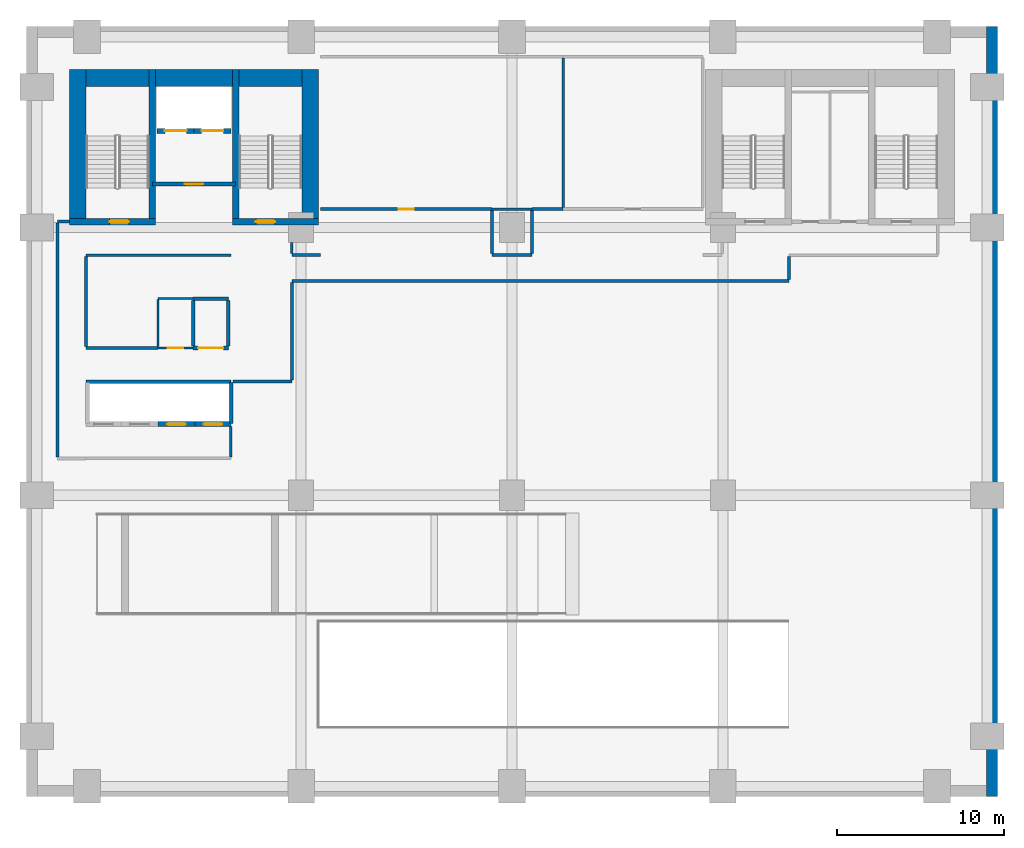
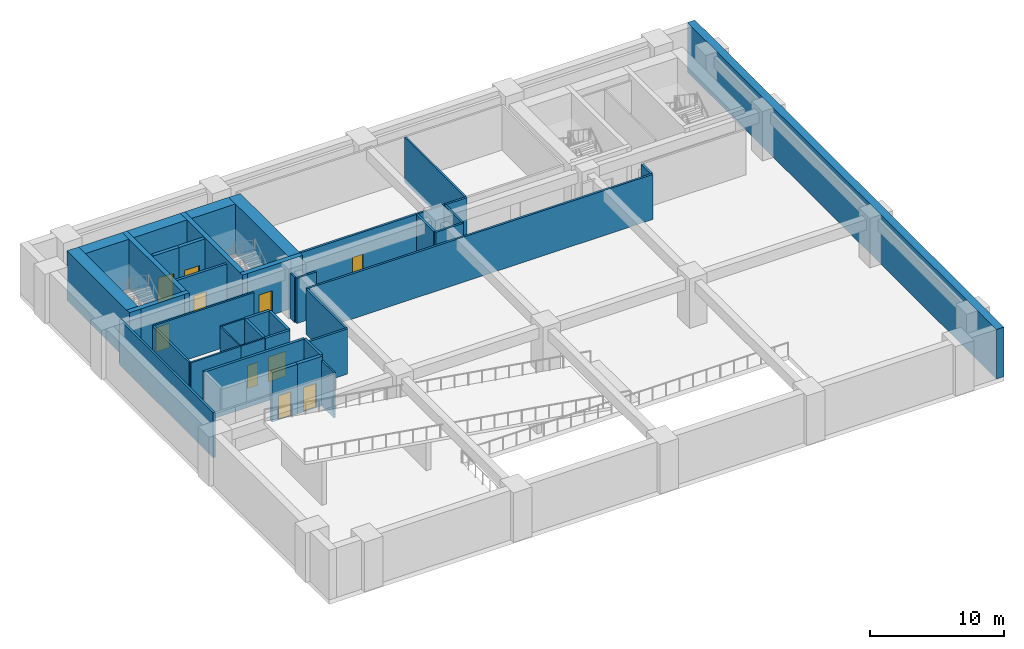
# One storey, part 2 of 6: 41 walls, 10 doors, 10 openings.
"""IFC4 building model written with IfcOpenShell, lengths in metres."""

from ifc_helpers import new_model, si_unit, direction, frame, frame_2d, origin, place, context, subcontext, project, spatial, rectangle, extrude, material, layer, layer_set, type_object, element, fill, save


model = new_model("IFC4")

# Units and contexts
model_context = context("Model", 3, precision=1e-05, world=origin(), true_north=direction((0.0, 1.0)))
body_context = subcontext(model_context, "Body", "Model", "MODEL_VIEW")
ifc_project = project(units=[si_unit("LENGTHUNIT", "METRE"), si_unit("AREAUNIT", "SQUARE_METRE"), si_unit("VOLUMEUNIT", "CUBIC_METRE"), si_unit("PLANEANGLEUNIT", "RADIAN"), si_unit("MASSUNIT", "GRAM", prefix="KILO")], contexts=[model_context])

# Site, building, storey
site_placement = place(None, origin())
site = spatial("IfcSite", under=ifc_project, at=site_placement, CompositionType="ELEMENT")
building_placement = place(site_placement, origin())
building = spatial("IfcBuilding", under=site, at=building_placement, Name="Sulina Concourse Tower", CompositionType="ELEMENT")
storey_placement = place(building_placement, frame((0.0, 0.0, -4.5)))
storey = spatial("IfcBuildingStorey", under=building, at=storey_placement, Name="B1", CompositionType="ELEMENT", Elevation=-4.5)

# Walls
ifc_material_1 = material(Name="Concrete C50/60", Category="concrete")
ifc_layer_1 = layer(ifc_material_1, 0.64990234375)
ifc_layer_set_1 = layer_set([ifc_layer_1], Name="Concrete C50/60")
wall_type_1 = type_object("IfcWallType", Name="Basement Perimeter Retaining Wall 650mm", PredefinedType="SOLIDWALL", material=ifc_layer_set_1)
wall_1_placement = place(storey_placement, frame((57.675048828125, 46.0, 0.0), z_axis=(0.0, 0.0, 1.0), x_axis=(0.0, -1.0, 0.0)))
element("IfcWall", 1, at=wall_1_placement, inside=storey, type_object=wall_type_1, Name="B1 basement retaining wall RW-E", PredefinedType="SOLIDWALL", context=body_context, shape_type="SweptSolid", body=[
    extrude(rectangle(XDim=46.0, YDim=0.64990234375, at=frame_2d((23.0, 0.0))), origin(), (0.0, 0.0, 1.0), 4.5),
])
ifc_material_2 = material(Name="Concrete C50/60", Category="concrete")
ifc_layer_2 = layer(ifc_material_2, 0.219970703125)
ifc_layer_set_2 = layer_set([ifc_layer_2], Name="Concrete C50/60")
wall_type_2 = type_object("IfcWallType", Name="Core Lift Hoistway Divider Wall 220mm", PredefinedType="SOLIDWALL", material=ifc_layer_set_2)
wall_2_placement = place(storey_placement, frame((3.550048828125, 24.780029296875, 0.0), z_axis=(0.0, 0.0, 1.0), x_axis=(1.0, 0.0, 0.0)))
element("IfcWall", 2, at=wall_2_placement, inside=storey, type_object=wall_type_2, Name="B1 shaft divider wall HW-LP1-N", PredefinedType="SOLIDWALL", context=body_context, shape_type="SweptSolid", body=[
    extrude(rectangle(XDim=8.64990234375, YDim=0.219970703125, at=frame_2d((4.324951171875, 0.0))), origin(), (0.0, 0.0, 1.0), 4.5),
])
wall_3_placement = place(storey_placement, frame((12.219970703125, 22.300048828125, 0.0), z_axis=(0.0, 0.0, 1.0), x_axis=(0.0, 1.0, 0.0)))
element("IfcWall", 3, at=wall_3_placement, inside=storey, type_object=wall_type_2, Name="B1 shaft divider wall HW-LP1-E", PredefinedType="SOLIDWALL", context=body_context, shape_type="SweptSolid", body=[
    extrude(rectangle(XDim=2.449951171875, YDim=0.219970703125, at=frame_2d((1.22509765625, 0.0))), origin(), (0.0, 0.0, 1.0), 4.5),
])

# Wall, opening, door
ifc_material_3 = material(Name="Concrete C50/60", Category="concrete")
ifc_layer_3 = layer(ifc_material_3, 0.300048828125)
ifc_layer_set_3 = layer_set([ifc_layer_3], Name="Concrete C50/60")
wall_type_3 = type_object("IfcWallType", Name="Core Lift Hoistway Wall 300mm", PredefinedType="SOLIDWALL", material=ifc_layer_set_3)
wall_4_placement = place(storey_placement, frame((10.050048828125, 22.25, 0.0), z_axis=(0.0, 0.0, 1.0), x_axis=(-1.0, 0.0, 0.0)))
wall_4 = element("IfcWall", 4, at=wall_4_placement, inside=storey, type_object=wall_type_3, Name="B1 hoistway enclosure wall LP-03", PredefinedType="SOLIDWALL", context=body_context, shape_type="SweptSolid", body=[
    extrude(rectangle(XDim=2.199951171875, YDim=0.300048828125, at=frame_2d((1.10009765625, 0.0))), origin(), (0.0, 0.0, 1.0), 4.5),
])
opening_1_placement = place(wall_4_placement, frame((0.550048828125, 0.0, 0.0)))
opening_1 = element("IfcOpeningElement", 5, at=opening_1_placement, cuts=wall_4, Name="Opening LD-01", PredefinedType="OPENING", context=body_context, shape_type="SweptSolid", body=[
    extrude(rectangle(XDim=1.10009765625, YDim=2.199951171875, at=frame_2d((0.550048828125, 1.10009765625))), frame((0.0, 0.159912109375, 0.0), z_axis=(0.0, -1.0, 0.0), x_axis=(1.0, 0.0, 0.0)), (0.0, 0.0, 1.0), 0.320068359375),
])
ifc_material_4 = material(Name="Stainless steel lift landing door", Category="steel")
ifc_layer_4 = layer(ifc_material_4, 0.050048828125)
ifc_layer_set_4 = layer_set([ifc_layer_4], Name="Stainless steel lift landing door")
door_type_1 = type_object("IfcDoorType", Name="Passenger Lift Sliding Landing Door 1100x2200", OperationType="SLIDING_TO_LEFT", PredefinedType="DOOR", material=ifc_layer_set_4)
door_1_placement = place(opening_1_placement, origin())
door_1 = element("IfcDoor", 6, at=door_1_placement, inside=storey, type_object=door_type_1, Name="B1 lift landing sliding door LP-03", OperationType="SLIDING_TO_LEFT", OverallHeight=2.199951171875, OverallWidth=1.10009765625, PredefinedType="DOOR", context=body_context, shape_type="SweptSolid", body=[
    extrude(rectangle(XDim=1.10009765625, YDim=2.199951171875, at=frame_2d((0.550048828125, 1.10009765625))), frame((0.0, 0.02490234375, 0.0), z_axis=(0.0, -1.0, 0.0), x_axis=(1.0, 0.0, 0.0)), (0.0, 0.0, 1.0), 0.050048828125),
])
fill(opening_1, door_1)

wall_5_placement = place(storey_placement, frame((12.199951171875, 22.25, 0.0), z_axis=(0.0, 0.0, 1.0), x_axis=(-1.0, 0.0, 0.0)))
wall_5 = element("IfcWall", 7, at=wall_5_placement, inside=storey, type_object=wall_type_3, Name="B1 hoistway enclosure wall LP-04", PredefinedType="SOLIDWALL", context=body_context, shape_type="SweptSolid", body=[
    extrude(rectangle(XDim=2.14990234375, YDim=0.300048828125, at=frame_2d((1.074951171875, 0.0))), origin(), (0.0, 0.0, 1.0), 4.5),
])
opening_2_placement = place(wall_5_placement, frame((0.52490234375, 0.0, 0.0)))
opening_2 = element("IfcOpeningElement", 8, at=opening_2_placement, cuts=wall_5, Name="Opening LD-01", PredefinedType="OPENING", context=body_context, shape_type="SweptSolid", body=[
    extrude(rectangle(XDim=1.10009765625, YDim=2.199951171875, at=frame_2d((0.550048828125, 1.10009765625))), frame((0.0, 0.159912109375, 0.0), z_axis=(0.0, -1.0, 0.0), x_axis=(1.0, 0.0, 0.0)), (0.0, 0.0, 1.0), 0.320068359375),
])
door_2_placement = place(opening_2_placement, origin())
door_2 = element("IfcDoor", 9, at=door_2_placement, inside=storey, type_object=door_type_1, Name="B1 lift landing sliding door LP-04", OperationType="SLIDING_TO_RIGHT", OverallHeight=2.199951171875, OverallWidth=1.10009765625, PredefinedType="DOOR", context=body_context, shape_type="SweptSolid", body=[
    extrude(rectangle(XDim=1.10009765625, YDim=2.199951171875, at=frame_2d((0.550048828125, 1.10009765625))), frame((0.0, 0.02490234375, 0.0), z_axis=(0.0, -1.0, 0.0), x_axis=(1.0, 0.0, 0.0)), (0.0, 0.0, 1.0), 0.050048828125),
])
fill(opening_2, door_2)

wall_6_placement = place(storey_placement, frame((10.0, 39.780029296875, 0.0), z_axis=(0.0, 0.0, 1.0), x_axis=(-1.0, 0.0, 0.0)))
wall_6 = element("IfcWall", 10, at=wall_6_placement, inside=storey, type_object=wall_type_3, Name="B1 hoistway enclosure wall FFL-1", PredefinedType="SOLIDWALL", context=body_context, shape_type="SweptSolid", body=[
    extrude(rectangle(XDim=2.199951171875, YDim=0.300048828125, at=frame_2d((1.10009765625, 0.0))), origin(), (0.0, 0.0, 1.0), 4.5),
])
opening_3_placement = place(wall_6_placement, frame((0.449951171875, 0.0, 0.0)))
opening_3 = element("IfcOpeningElement", 11, at=opening_3_placement, cuts=wall_6, Name="Opening LD-02", PredefinedType="OPENING", context=body_context, shape_type="SweptSolid", body=[
    extrude(rectangle(XDim=1.300048828125, YDim=2.25, at=frame_2d((0.64990234375, 1.125))), frame((0.0, 0.159912109375, 0.0), z_axis=(0.0, -1.0, 0.0), x_axis=(1.0, 0.0, 0.0)), (0.0, 0.0, 1.0), 0.320068359375),
])
ifc_material_5 = material(Name="Stainless steel lift landing door", Category="steel")
ifc_layer_5 = layer(ifc_material_5, 0.050048828125)
ifc_layer_set_5 = layer_set([ifc_layer_5], Name="Stainless steel lift landing door")
door_type_2 = type_object("IfcDoorType", Name="Firefighting Lift Sliding Landing Door 1300x2250", OperationType="SLIDING_TO_RIGHT", PredefinedType="DOOR", material=ifc_layer_set_5)
door_3_placement = place(opening_3_placement, origin())
door_3 = element("IfcDoor", 12, at=door_3_placement, inside=storey, type_object=door_type_2, Name="B1 lift landing sliding door FFL-1", OperationType="SLIDING_TO_LEFT", OverallHeight=2.25, OverallWidth=1.300048828125, PredefinedType="DOOR", context=body_context, shape_type="SweptSolid", body=[
    extrude(rectangle(XDim=1.300048828125, YDim=2.25, at=frame_2d((0.64990234375, 1.125))), frame((0.0, 0.02490234375, 0.0), z_axis=(0.0, -1.0, 0.0), x_axis=(1.0, 0.0, 0.0)), (0.0, 0.0, 1.0), 0.050048828125),
])
fill(opening_3, door_3)

wall_7_placement = place(storey_placement, frame((12.199951171875, 39.780029296875, 0.0), z_axis=(0.0, 0.0, 1.0), x_axis=(-1.0, 0.0, 0.0)))
wall_7 = element("IfcWall", 13, at=wall_7_placement, inside=storey, type_object=wall_type_3, Name="B1 hoistway enclosure wall FFL-2", PredefinedType="SOLIDWALL", context=body_context, shape_type="SweptSolid", body=[
    extrude(rectangle(XDim=2.199951171875, YDim=0.300048828125, at=frame_2d((1.10009765625, 0.0))), origin(), (0.0, 0.0, 1.0), 4.5),
])
opening_4_placement = place(wall_7_placement, frame((0.449951171875, 0.0, 0.0)))
opening_4 = element("IfcOpeningElement", 14, at=opening_4_placement, cuts=wall_7, Name="Opening LD-02", PredefinedType="OPENING", context=body_context, shape_type="SweptSolid", body=[
    extrude(rectangle(XDim=1.300048828125, YDim=2.25, at=frame_2d((0.64990234375, 1.125))), frame((0.0, 0.159912109375, 0.0), z_axis=(0.0, -1.0, 0.0), x_axis=(1.0, 0.0, 0.0)), (0.0, 0.0, 1.0), 0.320068359375),
])
door_4_placement = place(opening_4_placement, origin())
door_4 = element("IfcDoor", 15, at=door_4_placement, inside=storey, type_object=door_type_2, Name="B1 lift landing sliding door FFL-2", OperationType="SLIDING_TO_RIGHT", OverallHeight=2.25, OverallWidth=1.300048828125, PredefinedType="DOOR", context=body_context, shape_type="SweptSolid", body=[
    extrude(rectangle(XDim=1.300048828125, YDim=2.25, at=frame_2d((0.64990234375, 1.125))), frame((0.0, 0.02490234375, 0.0), z_axis=(0.0, -1.0, 0.0), x_axis=(1.0, 0.0, 0.0)), (0.0, 0.0, 1.0), 0.050048828125),
])
fill(opening_4, door_4)

ifc_material_6 = material(Name="Gypsum board on steel stud", Category="steel")
ifc_layer_6 = layer(ifc_material_6, 0.219970703125)
ifc_layer_set_6 = layer_set([ifc_layer_6], Name="Gypsum board on steel stud")
wall_type_4 = type_object("IfcWallType", Name="Fire-Rated Lobby & Compartment Wall 220mm", PredefinedType="PARTITIONING", material=ifc_layer_set_6)
wall_8_placement = place(storey_placement, frame((7.510009765625, 36.60009765625, 0.0), z_axis=(0.0, 0.0, 1.0), x_axis=(1.0, 0.0, 0.0)))
wall_8 = element("IfcWall", 16, at=wall_8_placement, inside=storey, type_object=wall_type_4, Name="B1 firefighting lobby south fire wall", PredefinedType="PARTITIONING", context=body_context, shape_type="SweptSolid", body=[
    extrude(rectangle(XDim=4.97998046875, YDim=0.219970703125, at=frame_2d((2.489990234375, 0.0))), origin(), (0.0, 0.0, 1.0), 4.10009765625),
])
opening_5_placement = place(wall_8_placement, frame((1.93994140625, 0.0, 0.0)))
opening_5 = element("IfcOpeningElement", 17, at=opening_5_placement, cuts=wall_8, Name="Opening DR-47", PredefinedType="OPENING", context=body_context, shape_type="SweptSolid", body=[
    extrude(rectangle(XDim=1.10009765625, YDim=2.199951171875, at=frame_2d((0.550048828125, 1.10009765625))), frame((0.0, 0.119873046875, 0.0), z_axis=(0.0, -1.0, 0.0), x_axis=(1.0, 0.0, 0.0)), (0.0, 0.0, 1.0), 0.239990234375),
])
ifc_material_7 = material(Name="Galvanised steel acoustic fire leaf", Category="steel")
ifc_layer_7 = layer(ifc_material_7, 0.054931640625)
ifc_layer_set_7 = layer_set([ifc_layer_7], Name="Galvanised steel acoustic fire leaf")
door_type_3 = type_object("IfcDoorType", Name="Firefighting Lobby Fire Door 1100x2200", OperationType="NOTDEFINED", PredefinedType="DOOR", material=ifc_layer_set_7)
door_5_placement = place(opening_5_placement, origin())
door_5 = element("IfcDoor", 18, at=door_5_placement, inside=storey, type_object=door_type_3, Name="B1 firefighting lobby fire door", OperationType="SINGLE_SWING_RIGHT", OverallHeight=2.199951171875, OverallWidth=1.10009765625, PredefinedType="DOOR", context=body_context, shape_type="SweptSolid", body=[
    extrude(rectangle(XDim=1.10009765625, YDim=2.199951171875, at=frame_2d((0.550048828125, 1.10009765625))), frame((0.0, 0.02490234375, 0.0), z_axis=(0.0, -1.0, 0.0), x_axis=(1.0, 0.0, 0.0)), (0.0, 0.0, 1.0), 0.050048828125),
])
fill(opening_5, door_5)

wall_9_placement = place(storey_placement, frame((9.949951171875, 26.800048828125, 0.0), z_axis=(0.0, 0.0, 1.0), x_axis=(1.0, 0.0, 0.0)))
wall_9 = element("IfcWall", 19, at=wall_9_placement, inside=storey, type_object=wall_type_4, Name="B1 interior partition 006", PredefinedType="PARTITIONING", context=body_context, shape_type="SweptSolid", body=[
    extrude(rectangle(XDim=2.10009765625, YDim=0.219970703125, at=frame_2d((1.050048828125, 0.0))), origin(), (0.0, 0.0, 1.0), 4.10009765625),
])
opening_6_placement = place(wall_9_placement, frame((0.300048828125, 0.0, 0.0)))
opening_6 = element("IfcOpeningElement", 20, at=opening_6_placement, cuts=wall_9, Name="Opening DR-80", PredefinedType="OPENING", context=body_context, shape_type="SweptSolid", body=[
    extrude(rectangle(XDim=1.5, YDim=2.25, at=frame_2d((0.75, 1.125))), frame((0.0, 0.119873046875, 0.0), z_axis=(0.0, -1.0, 0.0), x_axis=(1.0, 0.0, 0.0)), (0.0, 0.0, 1.0), 0.239990234375),
])
ifc_material_8 = material(Name="Galvanised steel acoustic fire leaf", Category="steel")
ifc_layer_8 = layer(ifc_material_8, 0.054931640625)
ifc_layer_set_8 = layer_set([ifc_layer_8], Name="Galvanised steel acoustic fire leaf")
door_type_4 = type_object("IfcDoorType", Name="Mechanical Plant Double Fire Door 1500x2250", OperationType="DOUBLE_DOOR_SINGLE_SWING", PredefinedType="DOOR", material=ifc_layer_set_8)
door_6_placement = place(opening_6_placement, origin())
door_6 = element("IfcDoor", 21, at=door_6_placement, inside=storey, type_object=door_type_4, Name="B1 interior door B1-IT-IDF", OperationType="DOUBLE_DOOR_SINGLE_SWING", OverallHeight=2.25, OverallWidth=1.5, PredefinedType="DOOR", context=body_context, shape_type="SweptSolid", body=[
    extrude(rectangle(XDim=1.5, YDim=2.25, at=frame_2d((0.75, 1.125))), frame((0.0, 0.02490234375, 0.0), z_axis=(0.0, -1.0, 0.0), x_axis=(1.0, 0.0, 0.0)), (0.0, 0.0, 1.0), 0.050048828125),
])
fill(opening_6, door_6)

# Walls
wall_10_placement = place(storey_placement, frame((9.949951171875, 29.75, 0.0), z_axis=(0.0, 0.0, 1.0), x_axis=(1.0, 0.0, 0.0)))
element("IfcWall", 22, at=wall_10_placement, inside=storey, type_object=wall_type_4, Name="B1 interior partition 008", PredefinedType="PARTITIONING", context=body_context, shape_type="SweptSolid", body=[
    extrude(rectangle(XDim=2.10009765625, YDim=0.219970703125, at=frame_2d((1.050048828125, 0.0))), origin(), (0.0, 0.0, 1.0), 4.10009765625),
])
for number, where, z_axis, x_axis, name in (
    (23, (9.949951171875, 26.909912109375, 0.0), (0.0, 0.0, 1.0), (0.0, 1.0, 0.0), "B1 interior partition 027"),
    (24, (12.050048828125, 26.909912109375, 0.0), (0.0, 0.0, 1.0), (0.0, 1.0, 0.0), "B1 interior partition 028"),
):
    element("IfcWall", number, at=place(storey_placement, frame(where, z_axis=z_axis, x_axis=x_axis)), inside=storey, type_object=wall_type_4, Name=name, PredefinedType="PARTITIONING", context=body_context, shape_type="SweptSolid", body=[
        extrude(rectangle(XDim=2.72998046875, YDim=0.219970703125, at=frame_2d((1.364990234375, 0.0))), origin(), (0.0, 0.0, 1.0), 4.10009765625),
    ])
ifc_material_9 = material(Name="Gypsum board on steel stud", Category="steel")
ifc_layer_9 = layer(ifc_material_9, 0.14990234375)
ifc_layer_set_9 = layer_set([ifc_layer_9], Name="Gypsum board on steel stud")
wall_type_5 = type_object("IfcWallType", Name="Inter-Tenancy Acoustic Partition 150mm", PredefinedType="PARTITIONING", material=ifc_layer_set_9)
wall_11_placement = place(storey_placement, frame((3.550048828125, 26.800048828125, 0.0), z_axis=(0.0, 0.0, 1.0), x_axis=(1.0, 0.0, 0.0)))
element("IfcWall", 25, at=wall_11_placement, inside=storey, type_object=wall_type_5, Name="B1 interior partition 004", PredefinedType="PARTITIONING", context=body_context, shape_type="SweptSolid", body=[
    extrude(rectangle(XDim=4.300048828125, YDim=0.14990234375, at=frame_2d((2.14990234375, 0.0))), origin(), (0.0, 0.0, 1.0), 4.10009765625),
])
wall_12_placement = place(storey_placement, frame((3.550048828125, 32.35009765625, 0.0), z_axis=(0.0, 0.0, 1.0), x_axis=(1.0, 0.0, 0.0)))
element("IfcWall", 26, at=wall_12_placement, inside=storey, type_object=wall_type_5, Name="B1 interior partition 010", PredefinedType="PARTITIONING", context=body_context, shape_type="SweptSolid", body=[
    extrude(rectangle(XDim=8.64990234375, YDim=0.14990234375, at=frame_2d((4.324951171875, 0.0))), origin(), (0.0, 0.0, 1.0), 4.10009765625),
])
wall_13_placement = place(storey_placement, frame((27.800048828125, 35.10009765625, 0.0), z_axis=(0.0, 0.0, 1.0), x_axis=(1.0, 0.0, 0.0)))
element("IfcWall", 27, at=wall_13_placement, inside=storey, type_object=wall_type_5, Name="B1 interior partition 017", PredefinedType="PARTITIONING", context=body_context, shape_type="SweptSolid", body=[
    extrude(rectangle(XDim=2.39990234375, YDim=0.14990234375, at=frame_2d((1.199951171875, 0.0))), origin(), (0.0, 0.0, 1.0), 4.10009765625),
])
wall_14_placement = place(storey_placement, frame((12.199951171875, 20.27490234375, 0.0), z_axis=(0.0, 0.0, 1.0), x_axis=(0.0, 1.0, 0.0)))
element("IfcWall", 28, at=wall_14_placement, inside=storey, type_object=wall_type_5, Name="B1 interior partition 029", PredefinedType="PARTITIONING", context=body_context, shape_type="SweptSolid", body=[
    extrude(rectangle(XDim=1.8251953125, YDim=0.14990234375, at=frame_2d((0.91259765625, 0.0))), origin(), (0.0, 0.0, 1.0), 4.10009765625),
])
wall_15_placement = place(storey_placement, frame((15.85009765625, 32.43994140625, 0.0), z_axis=(0.0, 0.0, 1.0), x_axis=(0.0, 1.0, 0.0)))
element("IfcWall", 29, at=wall_15_placement, inside=storey, type_object=wall_type_5, Name="B1 interior partition 031", PredefinedType="PARTITIONING", context=body_context, shape_type="SweptSolid", body=[
    extrude(rectangle(XDim=0.66015625, YDim=0.14990234375, at=frame_2d((0.330078125, 0.0))), origin(), (0.0, 0.0, 1.0), 4.10009765625),
])
wall_16_placement = place(storey_placement, frame((32.050048828125, 35.18994140625, 0.0), z_axis=(0.0, 0.0, 1.0), x_axis=(0.0, 1.0, 0.0)))
element("IfcWall", 30, at=wall_16_placement, inside=storey, type_object=wall_type_5, Name="B1 interior partition 034", PredefinedType="PARTITIONING", context=body_context, shape_type="SweptSolid", body=[
    extrude(rectangle(XDim=8.93505859375, YDim=0.14990234375, at=frame_2d((4.467529296875, 0.0))), origin(), (0.0, 0.0, 1.0), 4.10009765625),
])
ifc_material_10 = material(Name="Gypsum board on steel stud", Category="steel")
ifc_layer_10 = layer(ifc_material_10, 0.179931640625)
ifc_layer_set_10 = layer_set([ifc_layer_10], Name="Gypsum board on steel stud")
wall_type_6 = type_object("IfcWallType", Name="Protected Corridor & Riser Partition 180mm", PredefinedType="PARTITIONING", material=ifc_layer_set_10)
wall_17_placement = place(storey_placement, frame((12.330078125, 24.800048828125, 0.0), z_axis=(0.0, 0.0, 1.0), x_axis=(1.0, 0.0, 0.0)))
element("IfcWall", 31, at=wall_17_placement, inside=storey, type_object=wall_type_6, Name="B1 interior partition 003", PredefinedType="PARTITIONING", context=body_context, shape_type="SweptSolid", body=[
    extrude(rectangle(XDim=3.52001953125, YDim=0.179931640625, at=frame_2d((1.760009765625, 0.0))), origin(), (0.0, 0.0, 1.0), 4.10009765625),
])
wall_18_placement = place(storey_placement, frame((15.85009765625, 30.800048828125, 0.0), z_axis=(0.0, 0.0, 1.0), x_axis=(1.0, 0.0, 0.0)))
element("IfcWall", 32, at=wall_18_placement, inside=storey, type_object=wall_type_6, Name="B1 interior partition 009", PredefinedType="PARTITIONING", context=body_context, shape_type="SweptSolid", body=[
    extrude(rectangle(XDim=29.699951171875, YDim=0.179931640625, at=frame_2d((14.85009765625, 0.0))), origin(), (0.0, 0.0, 1.0), 4.10009765625),
])
wall_19_placement = place(storey_placement, frame((15.85009765625, 32.35009765625, 0.0), z_axis=(0.0, 0.0, 1.0), x_axis=(1.0, 0.0, 0.0)))
element("IfcWall", 33, at=wall_19_placement, inside=storey, type_object=wall_type_6, Name="B1 interior partition 011", PredefinedType="PARTITIONING", context=body_context, shape_type="SweptSolid", body=[
    extrude(rectangle(XDim=1.699951171875, YDim=0.179931640625, at=frame_2d((0.85009765625, 0.0))), origin(), (0.0, 0.0, 1.0), 4.10009765625),
])
wall_20_placement = place(storey_placement, frame((27.800048828125, 32.35009765625, 0.0), z_axis=(0.0, 0.0, 1.0), x_axis=(1.0, 0.0, 0.0)))
element("IfcWall", 34, at=wall_20_placement, inside=storey, type_object=wall_type_6, Name="B1 interior partition 012", PredefinedType="PARTITIONING", context=body_context, shape_type="SweptSolid", body=[
    extrude(rectangle(XDim=2.39990234375, YDim=0.179931640625, at=frame_2d((1.199951171875, 0.0))), origin(), (0.0, 0.0, 1.0), 4.10009765625),
])
wall_21_placement = place(storey_placement, frame((1.85009765625, 34.35009765625, 0.0), z_axis=(0.0, 0.0, 1.0), x_axis=(1.0, 0.0, 0.0)))
element("IfcWall", 35, at=wall_21_placement, inside=storey, type_object=wall_type_6, Name="B1 interior partition 015", PredefinedType="PARTITIONING", context=body_context, shape_type="SweptSolid", body=[
    extrude(rectangle(XDim=0.699951171875, YDim=0.179931640625, at=frame_2d((0.35009765625, 0.0))), origin(), (0.0, 0.0, 1.0), 3.14501953125),
])

# Wall, opening, door
wall_22_placement = place(storey_placement, frame((17.550048828125, 35.10009765625, 0.0), z_axis=(0.0, 0.0, 1.0), x_axis=(1.0, 0.0, 0.0)))
wall_22 = element("IfcWall", 36, at=wall_22_placement, inside=storey, type_object=wall_type_6, Name="B1 interior partition 016", PredefinedType="PARTITIONING", context=body_context, shape_type="SweptSolid", body=[
    extrude(rectangle(XDim=10.25, YDim=0.179931640625, at=frame_2d((5.125, 0.0))), origin(), (0.0, 0.0, 1.0), 4.10009765625),
])
opening_7_placement = place(wall_22_placement, frame((4.68505859375, 0.0, 0.0)))
opening_7 = element("IfcOpeningElement", 37, at=opening_7_placement, cuts=wall_22, Name="Opening DR-38", PredefinedType="OPENING", context=body_context, shape_type="SweptSolid", body=[
    extrude(rectangle(XDim=0.8798828125, YDim=2.10009765625, at=frame_2d((0.43994140625, 1.050048828125))), frame((0.0, 0.099853515625, 0.0), z_axis=(0.0, -1.0, 0.0), x_axis=(1.0, 0.0, 0.0)), (0.0, 0.0, 1.0), 0.199951171875),
])
ifc_material_11 = material(Name="Galvanised steel acoustic fire leaf", Category="steel")
ifc_layer_11 = layer(ifc_material_11, 0.050048828125)
ifc_layer_set_11 = layer_set([ifc_layer_11], Name="Galvanised steel acoustic fire leaf")
door_type_5 = type_object("IfcDoorType", Name="Service Riser Fire Door 880x2100", OperationType="NOTDEFINED", PredefinedType="DOOR", material=ifc_layer_set_11)
door_7_placement = place(opening_7_placement, origin())
door_7 = element("IfcDoor", 38, at=door_7_placement, inside=storey, type_object=door_type_5, Name="B1 interior door B1-BOH-LD", OperationType="SINGLE_SWING_LEFT", OverallHeight=2.10009765625, OverallWidth=0.8798828125, PredefinedType="DOOR", context=body_context, shape_type="SweptSolid", body=[
    extrude(rectangle(XDim=0.8798828125, YDim=2.10009765625, at=frame_2d((0.43994140625, 1.050048828125))), frame((0.0, 0.02490234375, 0.0), z_axis=(0.0, -1.0, 0.0), x_axis=(1.0, 0.0, 0.0)), (0.0, 0.0, 1.0), 0.050048828125),
])
fill(opening_7, door_7)

# Walls
wall_23_placement = place(storey_placement, frame((30.199951171875, 35.10009765625, 0.0), z_axis=(0.0, 0.0, 1.0), x_axis=(1.0, 0.0, 0.0)))
element("IfcWall", 39, at=wall_23_placement, inside=storey, type_object=wall_type_6, Name="B1 interior partition 018", PredefinedType="PARTITIONING", context=body_context, shape_type="SweptSolid", body=[
    extrude(rectangle(XDim=1.85009765625, YDim=0.179931640625, at=frame_2d((0.925048828125, 0.0))), origin(), (0.0, 0.0, 1.0), 4.10009765625),
])
wall_24_placement = place(storey_placement, frame((1.85009765625, 20.2900390625, 0.0), z_axis=(0.0, 0.0, 1.0), x_axis=(0.0, 1.0, 0.0)))
element("IfcWall", 40, at=wall_24_placement, inside=storey, type_object=wall_type_6, Name="B1 interior partition 024", PredefinedType="PARTITIONING", context=body_context, shape_type="SweptSolid", body=[
    extrude(rectangle(XDim=13.969970703125, YDim=0.179931640625, at=frame_2d((6.98486328125, 0.0))), origin(), (0.0, 0.0, 1.0), 4.10009765625),
])
wall_25_placement = place(storey_placement, frame((3.550048828125, 26.875, 0.0), z_axis=(0.0, 0.0, 1.0), x_axis=(0.0, 1.0, 0.0)))
element("IfcWall", 41, at=wall_25_placement, inside=storey, type_object=wall_type_6, Name="B1 interior partition 025", PredefinedType="PARTITIONING", context=body_context, shape_type="SweptSolid", body=[
    extrude(rectangle(XDim=5.39990234375, YDim=0.179931640625, at=frame_2d((2.699951171875, 0.0))), origin(), (0.0, 0.0, 1.0), 4.10009765625),
])
wall_26_placement = place(storey_placement, frame((15.85009765625, 24.889892578125, 0.0), z_axis=(0.0, 0.0, 1.0), x_axis=(0.0, 1.0, 0.0)))
element("IfcWall", 42, at=wall_26_placement, inside=storey, type_object=wall_type_6, Name="B1 interior partition 030", PredefinedType="PARTITIONING", context=body_context, shape_type="SweptSolid", body=[
    extrude(rectangle(XDim=5.820068359375, YDim=0.179931640625, at=frame_2d((2.91015625, 0.0))), origin(), (0.0, 0.0, 1.0), 4.10009765625),
])
for number, where, z_axis, x_axis, name in (
    (43, (27.800048828125, 32.43994140625, 0.0), (0.0, 0.0, 1.0), (0.0, 1.0, 0.0), "B1 interior partition 032"),
    (44, (30.199951171875, 32.43994140625, 0.0), (0.0, 0.0, 1.0), (0.0, 1.0, 0.0), "B1 interior partition 033"),
):
    element("IfcWall", number, at=place(storey_placement, frame(where, z_axis=z_axis, x_axis=x_axis)), inside=storey, type_object=wall_type_6, Name=name, PredefinedType="PARTITIONING", context=body_context, shape_type="SweptSolid", body=[
        extrude(rectangle(XDim=2.570068359375, YDim=0.179931640625, at=frame_2d((1.28515625, 0.0))), origin(), (0.0, 0.0, 1.0), 4.10009765625),
    ])
wall_27_placement = place(storey_placement, frame((45.550048828125, 30.889892578125, 0.0), z_axis=(0.0, 0.0, 1.0), x_axis=(0.0, 1.0, 0.0)))
element("IfcWall", 45, at=wall_27_placement, inside=storey, type_object=wall_type_6, Name="B1 interior partition 037", PredefinedType="PARTITIONING", context=body_context, shape_type="SweptSolid", body=[
    extrude(rectangle(XDim=1.385009765625, YDim=0.179931640625, at=frame_2d((0.6923828125, 0.0))), origin(), (0.0, 0.0, 1.0), 4.10009765625),
])

# Wall, opening, door
ifc_material_12 = material(Name="Concrete C60/75", Category="concrete")
ifc_layer_12 = layer(ifc_material_12, 0.39990234375)
ifc_layer_set_12 = layer_set([ifc_layer_12], Name="Concrete C60/75")
wall_type_7 = type_object("IfcWallType", Name="Protected Stair Core Shear Wall 400mm", PredefinedType="SHEAR", material=ifc_layer_set_12)
wall_28_placement = place(storey_placement, frame((2.550048828125, 34.35009765625, 0.0), z_axis=(0.0, 0.0, 1.0), x_axis=(1.0, 0.0, 0.0)))
wall_28 = element("IfcWall", 46, at=wall_28_placement, inside=storey, type_object=wall_type_7, Name="B1 west core shear wall CW-WS1", PredefinedType="SHEAR", context=body_context, shape_type="SweptSolid", body=[
    extrude(rectangle(XDim=5.159912109375, YDim=0.39990234375, at=frame_2d((2.580078125, 0.0))), origin(), (0.0, 0.0, 1.0), 4.5),
])
opening_8_placement = place(wall_28_placement, frame((2.39990234375, 0.0, 0.0)))
opening_8 = element("IfcOpeningElement", 47, at=opening_8_placement, cuts=wall_28, Name="Opening DR-60", PredefinedType="OPENING", context=body_context, shape_type="SweptSolid", body=[
    extrude(rectangle(XDim=1.14990234375, YDim=2.199951171875, at=frame_2d((0.574951171875, 1.10009765625))), frame((0.0, 0.2099609375, 0.0), z_axis=(0.0, -1.0, 0.0), x_axis=(1.0, 0.0, 0.0)), (0.0, 0.0, 1.0), 0.419921875),
])
ifc_material_13 = material(Name="Galvanised steel acoustic fire leaf", Category="steel")
ifc_layer_13 = layer(ifc_material_13, 0.054931640625)
ifc_layer_set_13 = layer_set([ifc_layer_13], Name="Galvanised steel acoustic fire leaf")
door_type_6 = type_object("IfcDoorType", Name="Protected Exit Stair Fire Door 1150x2200", OperationType="NOTDEFINED", PredefinedType="DOOR", material=ifc_layer_set_13)
door_8_placement = place(opening_8_placement, origin())
door_8 = element("IfcDoor", 48, at=door_8_placement, inside=storey, type_object=door_type_6, Name="B1 stair ST-1 lobby fire door", OperationType="SINGLE_SWING_RIGHT", OverallHeight=2.199951171875, OverallWidth=1.14990234375, PredefinedType="DOOR", context=body_context, shape_type="SweptSolid", body=[
    extrude(rectangle(XDim=1.14990234375, YDim=2.199951171875, at=frame_2d((0.574951171875, 1.10009765625))), frame((0.0, 0.02490234375, 0.0), z_axis=(0.0, -1.0, 0.0), x_axis=(1.0, 0.0, 0.0)), (0.0, 0.0, 1.0), 0.050048828125),
])
fill(opening_8, door_8)

wall_29_placement = place(storey_placement, frame((12.2900390625, 34.35009765625, 0.0), z_axis=(0.0, 0.0, 1.0), x_axis=(1.0, 0.0, 0.0)))
wall_29 = element("IfcWall", 49, at=wall_29_placement, inside=storey, type_object=wall_type_7, Name="B1 west core shear wall CW-WS2", PredefinedType="SHEAR", context=body_context, shape_type="SweptSolid", body=[
    extrude(rectangle(XDim=5.159912109375, YDim=0.39990234375, at=frame_2d((2.580078125, 0.0))), origin(), (0.0, 0.0, 1.0), 4.5),
])
opening_9_placement = place(wall_29_placement, frame((1.39990234375, 0.0, 0.0)))
opening_9 = element("IfcOpeningElement", 50, at=opening_9_placement, cuts=wall_29, Name="Opening DR-60", PredefinedType="OPENING", context=body_context, shape_type="SweptSolid", body=[
    extrude(rectangle(XDim=1.14990234375, YDim=2.199951171875, at=frame_2d((0.574951171875, 1.10009765625))), frame((0.0, 0.2099609375, 0.0), z_axis=(0.0, -1.0, 0.0), x_axis=(1.0, 0.0, 0.0)), (0.0, 0.0, 1.0), 0.419921875),
])
door_9_placement = place(opening_9_placement, origin())
door_9 = element("IfcDoor", 51, at=door_9_placement, inside=storey, type_object=door_type_6, Name="B1 stair ST-2 lobby fire door", OperationType="SINGLE_SWING_LEFT", OverallHeight=2.199951171875, OverallWidth=1.14990234375, PredefinedType="DOOR", context=body_context, shape_type="SweptSolid", body=[
    extrude(rectangle(XDim=1.14990234375, YDim=2.199951171875, at=frame_2d((0.574951171875, 1.10009765625))), frame((0.0, 0.02490234375, 0.0), z_axis=(0.0, -1.0, 0.0), x_axis=(1.0, 0.0, 0.0)), (0.0, 0.0, 1.0), 0.050048828125),
])
fill(opening_9, door_9)

# Walls
for number, where, z_axis, x_axis, name in (
    (52, (7.510009765625, 34.14990234375, 0.0), (0.0, 0.0, 1.0), (0.0, 1.0, 0.0), "B1 west core shear wall SW-ST1"),
    (53, (12.489990234375, 34.14990234375, 0.0), (0.0, 0.0, 1.0), (0.0, 1.0, 0.0), "B1 west core shear wall SW-ST2"),
):
    element("IfcWall", number, at=place(storey_placement, frame(where, z_axis=z_axis, x_axis=x_axis)), inside=storey, type_object=wall_type_7, Name=name, PredefinedType="SHEAR", context=body_context, shape_type="SweptSolid", body=[
        extrude(rectangle(XDim=9.280029296875, YDim=0.39990234375, at=frame_2d((4.64013671875, 0.0))), origin(), (0.0, 0.0, 1.0), 4.5),
    ])
ifc_material_14 = material(Name="Concrete C80/95", Category="concrete")
ifc_layer_14 = layer(ifc_material_14, 1.0)
ifc_layer_set_14 = layer_set([ifc_layer_14], Name="Concrete C80/95")
wall_type_8 = type_object("IfcWallType", Name="Rear Core Shear Wall 1000mm", PredefinedType="SHEAR", material=ifc_layer_set_14)
wall_30_placement = place(storey_placement, frame((2.550048828125, 42.929931640625, 0.0), z_axis=(0.0, 0.0, 1.0), x_axis=(1.0, 0.0, 0.0)))
element("IfcWall", 54, at=wall_30_placement, inside=storey, type_object=wall_type_8, Name="B1 west core shear wall CW-WN", PredefinedType="SHEAR", context=body_context, shape_type="SweptSolid", body=[
    extrude(rectangle(XDim=14.89990234375, YDim=1.0, at=frame_2d((7.449951171875, 0.0))), origin(), (0.0, 0.0, 1.0), 4.5),
])
for number, where, z_axis, x_axis, name in (
    (55, (3.050048828125, 34.14990234375, 0.0), (0.0, 0.0, 1.0), (0.0, 1.0, 0.0), "B1 west core shear wall CW-WW"),
    (56, (16.949951171875, 34.14990234375, 0.0), (0.0, 0.0, 1.0), (0.0, 1.0, 0.0), "B1 west core shear wall CW-WE"),
):
    element("IfcWall", number, at=place(storey_placement, frame(where, z_axis=z_axis, x_axis=x_axis)), inside=storey, type_object=wall_type_8, Name=name, PredefinedType="SHEAR", context=body_context, shape_type="SweptSolid", body=[
        extrude(rectangle(XDim=9.280029296875, YDim=1.0, at=frame_2d((4.64013671875, 0.0))), origin(), (0.0, 0.0, 1.0), 4.5),
    ])

# Wall, opening, door
ifc_material_15 = material(Name="Gypsum board on steel stud", Category="steel")
ifc_layer_15 = layer(ifc_material_15, 0.125)
ifc_layer_set_15 = layer_set([ifc_layer_15], Name="Gypsum board on steel stud")
wall_type_9 = type_object("IfcWallType", Name="Wet-Area Moisture-Resistant Partition 125mm", PredefinedType="PARTITIONING", material=ifc_layer_set_15)
wall_31_placement = place(storey_placement, frame((7.85009765625, 26.800048828125, 0.0), z_axis=(0.0, 0.0, 1.0), x_axis=(1.0, 0.0, 0.0)))
wall_31 = element("IfcWall", 57, at=wall_31_placement, inside=storey, type_object=wall_type_9, Name="B1 interior partition 005", PredefinedType="PARTITIONING", context=body_context, shape_type="SweptSolid", body=[
    extrude(rectangle(XDim=2.099853515625, YDim=0.125, at=frame_2d((1.0498046875, 0.0))), origin(), (0.0, 0.0, 1.0), 4.10009765625),
])
opening_10_placement = place(wall_31_placement, frame((0.590087890625, 0.0, 0.0)))
opening_10 = element("IfcOpeningElement", 58, at=opening_10_placement, cuts=wall_31, Name="Opening DR-61", PredefinedType="OPENING", context=body_context, shape_type="SweptSolid", body=[
    extrude(rectangle(XDim=0.919921875, YDim=2.10009765625, at=frame_2d((0.4599609375, 1.050048828125))), frame((0.0, 0.072509765625, 0.0), z_axis=(0.0, -1.0, 0.0), x_axis=(1.0, 0.0, 0.0)), (0.0, 0.0, 1.0), 0.14501953125),
])
ifc_material_16 = material(Name="Oak-veneered fire door leaf")
ifc_layer_16 = layer(ifc_material_16, 0.050048828125)
ifc_layer_set_16 = layer_set([ifc_layer_16], Name="Oak-veneered fire door leaf")
door_type_7 = type_object("IfcDoorType", Name="Accessible WC Door 920x2100", OperationType="NOTDEFINED", PredefinedType="DOOR", material=ifc_layer_set_16)
door_10_placement = place(opening_10_placement, origin())
door_10 = element("IfcDoor", 59, at=door_10_placement, inside=storey, type_object=door_type_7, Name="B1 interior door B1-WC-ACC", OperationType="SINGLE_SWING_RIGHT", OverallHeight=2.10009765625, OverallWidth=0.919921875, PredefinedType="DOOR", context=body_context, shape_type="SweptSolid", body=[
    extrude(rectangle(XDim=0.919921875, YDim=2.10009765625, at=frame_2d((0.4599609375, 1.050048828125))), frame((0.0, 0.02490234375, 0.0), z_axis=(0.0, -1.0, 0.0), x_axis=(1.0, 0.0, 0.0)), (0.0, 0.0, 1.0), 0.050048828125),
])
fill(opening_10, door_10)

# Walls
wall_32_placement = place(storey_placement, frame((7.85009765625, 29.75, 0.0), z_axis=(0.0, 0.0, 1.0), x_axis=(1.0, 0.0, 0.0)))
element("IfcWall", 60, at=wall_32_placement, inside=storey, type_object=wall_type_9, Name="B1 interior partition 007", PredefinedType="PARTITIONING", context=body_context, shape_type="SweptSolid", body=[
    extrude(rectangle(XDim=2.099853515625, YDim=0.125, at=frame_2d((1.0498046875, 0.0))), origin(), (0.0, 0.0, 1.0), 4.10009765625),
])
wall_33_placement = place(storey_placement, frame((7.85009765625, 26.875, 0.0), z_axis=(0.0, 0.0, 1.0), x_axis=(0.0, 1.0, 0.0)))
element("IfcWall", 61, at=wall_33_placement, inside=storey, type_object=wall_type_9, Name="B1 interior partition 026", PredefinedType="PARTITIONING", context=body_context, shape_type="SweptSolid", body=[
    extrude(rectangle(XDim=2.8125, YDim=0.125, at=frame_2d((1.40625, 0.0))), origin(), (0.0, 0.0, 1.0), 4.10009765625),
])

save(model, "model.ifc")
